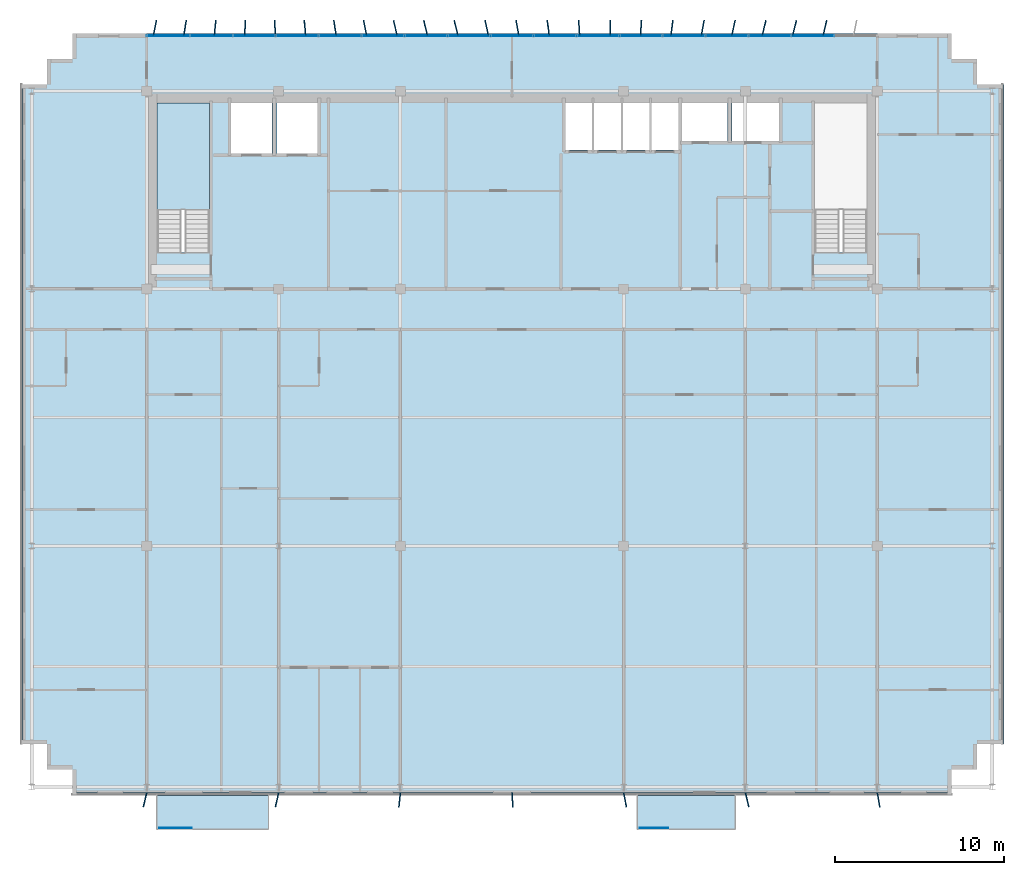
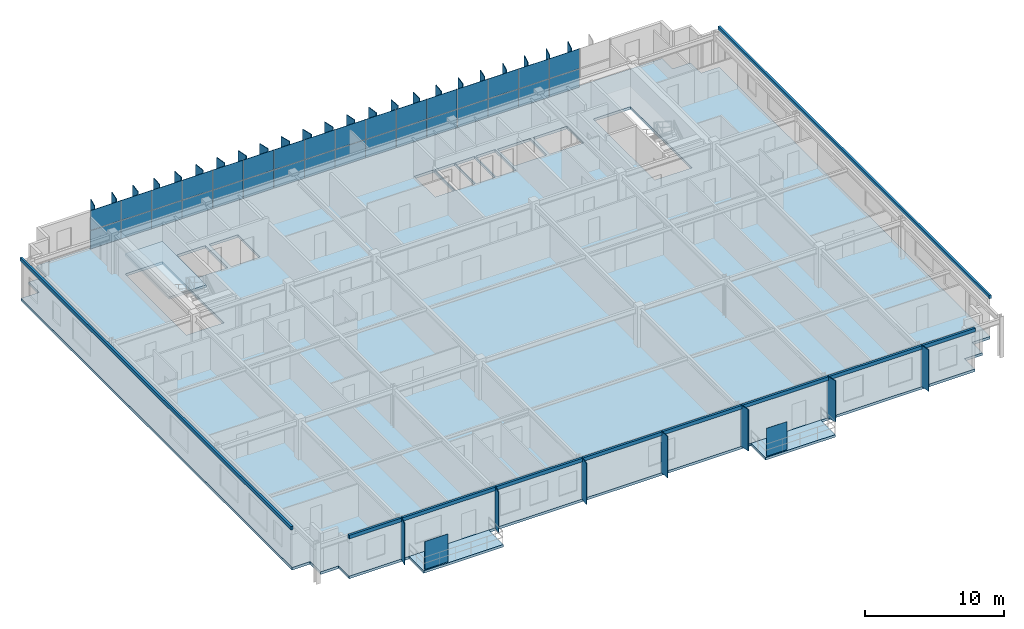
# One storey, part 15 of 22: 67 plates, 4 slabs, 2 elements without a shape of their own.
"""IFC4 building model written with IfcOpenShell, lengths in metres."""

from ifc_helpers import new_model, si_unit, direction, frame, origin, origin_2d, place, context, subcontext, project, spatial, polyline, rectangle, outline, extrude, source, transform, mapped, material, layer, layer_set, type_object, element, aggregate, save


model = new_model("IFC4")

# Units and contexts
model_context = context("Model", 3, precision=1e-05, world=origin(), true_north=direction((0.0, 1.0)))
body_context = subcontext(model_context, "Body", "Model", "MODEL_VIEW")
ifc_project = project(units=[si_unit("LENGTHUNIT", "METRE"), si_unit("AREAUNIT", "SQUARE_METRE"), si_unit("VOLUMEUNIT", "CUBIC_METRE"), si_unit("PLANEANGLEUNIT", "RADIAN"), si_unit("MASSUNIT", "GRAM", prefix="KILO")], contexts=[model_context])

# Site, building, storey
site_placement = place(None, origin())
site = spatial("IfcSite", under=ifc_project, at=site_placement, CompositionType="ELEMENT")
building_placement = place(site_placement, origin())
building = spatial("IfcBuilding", under=site, at=building_placement, Name="Trelvane Seafront Commons", CompositionType="ELEMENT")
storey_placement = place(building_placement, frame((0.0, 0.0, 277.5)))
storey = spatial("IfcBuildingStorey", under=building, at=storey_placement, Name="L72", CompositionType="ELEMENT", Elevation=277.5)

# Slabs
ifc_material_1 = material(Name="Concrete C40/50", Category="concrete")
ifc_layer_1 = layer(ifc_material_1, 0.219970703125, Name="ARCH-BALC-220")
ifc_layer_set_1 = layer_set([ifc_layer_1], Name="Concrete C40/50")
slab_type_1 = type_object("IfcSlabType", Name="ARCH-BALC-220", PredefinedType="FLOOR", material=ifc_layer_set_1)
slab_1_placement = place(storey_placement, frame((0.0, 0.0, -0.219970703125)))
element("IfcSlab", 1, at=slab_1_placement, inside=storey, type_object=slab_type_1, Name="L72 Cantilevered Tree Balcony Loggia 1", PredefinedType="FLOOR", context=body_context, shape_type="SweptSolid", body=[
    extrude(outline(polyline([(16.199951171875, 1.39990234375), (22.800048828125, 1.39990234375), (22.800048828125, 3.5), (16.199951171875, 3.5), (16.199951171875, 1.39990234375)])), origin(), (0.0, 0.0, 1.0), 0.219970703125),
])
slab_2_placement = place(storey_placement, frame((0.0, 0.0, -0.219970703125)))
element("IfcSlab", 2, at=slab_2_placement, inside=storey, type_object=slab_type_1, Name="L72 Cantilevered Tree Balcony Loggia 2", PredefinedType="FLOOR", context=body_context, shape_type="SweptSolid", body=[
    extrude(outline(polyline([(44.60009765625, 1.39990234375), (50.39990234375, 1.39990234375), (50.39990234375, 3.5), (44.60009765625, 3.5), (44.60009765625, 1.39990234375)])), origin(), (0.0, 0.0, 1.0), 0.219970703125),
])

# Stair, slab
stair_type = type_object("IfcStairType", Name="ARCH-STR-ST-1-R20-180", PredefinedType="HALF_TURN_STAIR", material=ifc_material_1)
stair_placement = place(storey_placement, origin())
stair = element("IfcStair", 3, at=stair_placement, inside=storey, type_object=stair_type, Name="L72 West Protected Firefighting Exit Stair ST-1", PredefinedType="HALF_TURN_STAIR")
ifc_layer_2 = layer(ifc_material_1, 0.199951171875, Name="ARCH-LND-200")
ifc_layer_set_2 = layer_set([ifc_layer_2], Name="Concrete C40/50")
slab_type_2 = type_object("IfcSlabType", Name="ARCH-LND-200", PredefinedType="LANDING", material=ifc_layer_set_2)
slab_3_placement = place(storey_placement, frame((0.0, 0.0, 1.60009765625)))
slab_3 = element("IfcSlab", 4, at=slab_3_placement, type_object=slab_type_2, Name="ST-1 landing 1", PredefinedType="LANDING", context=body_context, shape_type="SweptSolid", body=[
    extrude(outline(polyline([(19.300048828125, 38.070068359375), (19.300048828125, 44.39990234375), (16.199951171875, 44.39990234375), (16.199951171875, 38.070068359375), (19.300048828125, 38.070068359375)])), origin(), (0.0, 0.0, 1.0), 0.199951171875),
])
aggregate(stair, [slab_3])

# Slab
ifc_material_2 = material(Name="Concrete C50/60", Category="concrete")
ifc_layer_3 = layer(ifc_material_2, 0.22998046875, Name="STR-SLB-Z5-230")
ifc_layer_set_3 = layer_set([ifc_layer_3], Name="Concrete C50/60")
slab_type_3 = type_object("IfcSlabType", Name="STR-SLB-Z5-230", PredefinedType="FLOOR", material=ifc_layer_set_3)
slab_4_placement = place(storey_placement, frame((0.0, 0.0, -0.22998046875)))
element("IfcSlab", 5, at=slab_4_placement, inside=storey, type_object=slab_type_3, Name="L72 Structural Floor Slab", PredefinedType="FLOOR", context=body_context, shape_type="SweptSolid", body=[
    extrude(outline(polyline([(11.199951171875, 3.5), (63.199951171875, 3.5), (63.199951171875, 5.0), (64.699951171875, 5.0), (64.699951171875, 6.5), (66.199951171875, 6.5), (66.199951171875, 45.5), (64.699951171875, 45.5), (64.699951171875, 47.0), (63.199951171875, 47.0), (63.199951171875, 48.5), (11.199951171875, 48.5), (11.199951171875, 47.0), (9.699951171875, 47.0), (9.699951171875, 45.5), (8.199951171875, 45.5), (8.199951171875, 6.5), (9.699951171875, 6.5), (9.699951171875, 5.0), (11.199951171875, 5.0), (11.199951171875, 3.5)]), holes=[polyline([(19.300048828125, 35.550048828125), (16.199951171875, 35.550048828125), (16.199951171875, 44.39990234375), (19.300048828125, 44.39990234375), (19.300048828125, 35.550048828125)]), polyline([(58.199951171875, 35.550048828125), (55.10009765625, 35.550048828125), (55.10009765625, 44.39990234375), (58.199951171875, 44.39990234375), (58.199951171875, 35.550048828125)]), polyline([(23.0, 41.39990234375), (20.60009765625, 41.39990234375), (20.60009765625, 44.60009765625), (23.0, 44.60009765625), (23.0, 41.39990234375)]), polyline([(23.300048828125, 41.39990234375), (23.300048828125, 44.60009765625), (25.699951171875, 44.60009765625), (25.699951171875, 41.39990234375), (23.300048828125, 41.39990234375)]), polyline([(40.35009765625, 41.60009765625), (40.35009765625, 44.60009765625), (41.969970703125, 44.60009765625), (41.969970703125, 41.60009765625), (40.35009765625, 41.60009765625)]), polyline([(43.669921875, 41.60009765625), (42.050048828125, 41.60009765625), (42.050048828125, 44.60009765625), (43.669921875, 44.60009765625), (43.669921875, 41.60009765625)]), polyline([(45.3701171875, 41.60009765625), (43.75, 41.60009765625), (43.75, 44.60009765625), (45.3701171875, 44.60009765625), (45.3701171875, 41.60009765625)]), polyline([(47.070068359375, 41.60009765625), (45.449951171875, 41.60009765625), (45.449951171875, 44.60009765625), (47.070068359375, 44.60009765625), (47.070068359375, 41.60009765625)]), polyline([(47.25, 42.14990234375), (47.25, 44.550048828125), (49.949951171875, 44.550048828125), (49.949951171875, 42.14990234375), (47.25, 42.14990234375)]), polyline([(50.199951171875, 42.14990234375), (50.199951171875, 44.550048828125), (53.0, 44.550048828125), (53.0, 42.14990234375), (50.199951171875, 42.14990234375)])]), origin(), (0.0, 0.0, 1.0), 0.22998046875),
])

# Plates
ifc_material_3 = material(Name="Perforated anodised aluminium screen", Category="aluminium")
ifc_layer_4 = layer(ifc_material_3, 0.01611328125, Name="ARCH-PLATE-SCREEN")
ifc_layer_set_4 = layer_set([ifc_layer_4], Name="Perforated anodised aluminium screen")
plate_type_1 = type_object("IfcPlateType", Name="ARCH-PLATE-SCREEN", PredefinedType="USERDEFINED", material=ifc_layer_set_4)
shared_shape_1 = source(origin(), body_context, "Body", "SweptSolid", [
    extrude(rectangle(XDim=1.9140625, YDim=0.01611328125, at=origin_2d()), origin(), (0.0, 0.0, 1.0), 2.449951171875),
])
plate_1_placement = place(storey_placement, frame((17.306884765625, 1.52001953125, 0.0), z_axis=(0.0, 0.0, 1.0), x_axis=(1.0, 0.0, 0.0)))
element("IfcPlate", 6, at=plate_1_placement, inside=storey, type_object=plate_type_1, Name="SCR-L72-00250", ObjectType="SCREEN", PredefinedType="USERDEFINED", context=body_context, shape_type="MappedRepresentation", body=[
    mapped(shared_shape_1, transform((0.0, 0.0, 0.0), x_axis=(1.0, 0.0, 0.0), y_axis=(0.0, 1.0, 0.0), z_axis=(0.0, 0.0, 1.0), scale=1.0)),
])
shared_shape_2 = source(origin(), body_context, "Body", "SweptSolid", [
    extrude(rectangle(XDim=1.681884765625, YDim=0.01611328125, at=origin_2d()), origin(), (0.0, 0.0, 1.0), 2.449951171875),
])
plate_2_placement = place(storey_placement, frame((45.591064453125, 1.52001953125, 0.0), z_axis=(0.0, 0.0, 1.0), x_axis=(1.0, 0.0, 0.0)))
element("IfcPlate", 7, at=plate_2_placement, inside=storey, type_object=plate_type_1, Name="SCR-L72-00251", ObjectType="SCREEN", PredefinedType="USERDEFINED", context=body_context, shape_type="MappedRepresentation", body=[
    mapped(shared_shape_2, transform((0.0, 0.0, 0.0), x_axis=(1.0, 0.0, 0.0), y_axis=(0.0, 1.0, 0.0), z_axis=(0.0, 0.0, 1.0), scale=1.0)),
])
ifc_material_4 = material(Name="Anodised pale-silver aluminium", Category="aluminium")
ifc_layer_5 = layer(ifc_material_4, 0.06005859375, Name="ARCH-PLATE-FIN900")
ifc_layer_set_5 = layer_set([ifc_layer_5], Name="Anodised pale-silver aluminium")
plate_type_2 = type_object("IfcPlateType", Name="ARCH-PLATE-FIN900", PredefinedType="USERDEFINED", material=ifc_layer_set_5)
shared_shape_3 = source(origin(), body_context, "Body", "SweptSolid", [
    extrude(rectangle(XDim=0.89990234375, YDim=0.06005859375, at=origin_2d()), origin(), (0.0, 0.0, 1.0), 3.639892578125),
])
for number, where, z_axis, x_axis, name in (
    (8, (16.090087890625, 48.8408203125, -0.02001953125), (0.0, 0.0, 1.0), (0.199896385395, 0.979817041649, 0.0), "FIN-L72-02004"),
    (9, (17.8701171875, 48.844482421875, -0.02001953125), (0.0, 0.0, 1.0), (0.155779370969, 0.987791874628, 0.0), "FIN-L72-02005"),
    (10, (19.64501953125, 48.84765625, -0.02001953125), (0.0, 0.0, 1.0), (0.099778227877, 0.995009701079, 0.0), "FIN-L72-02006"),
    (11, (21.416259765625, 48.849609375, -0.02001953125), (0.0, 0.0, 1.0), (0.036111735631, 0.999347758565, 0.0), "FIN-L72-02007"),
    (12, (23.186279296875, 48.849853515625, -0.02001953125), (0.0, 0.0, 1.0), (-0.030444309253, 0.999536464585, 0.0), "FIN-L72-02008"),
    (13, (24.95751953125, 48.847900390625, -0.02001953125), (0.0, 0.0, 1.0), (-0.094551387755, 0.995519982257, 0.0), "FIN-L72-02009"),
    (14, (26.73193359375, 48.8447265625, -0.02001953125), (0.0, 0.0, 1.0), (-0.151338455909, 0.988482003763, 0.0), "FIN-L72-02010"),
    (15, (28.511474609375, 48.84130859375, -0.02001953125), (0.0, 0.0, 1.0), (-0.196671764594, 0.980469386065, 0.0), "FIN-L72-02011"),
    (16, (30.2978515625, 48.83837890625, -0.02001953125), (0.0, 0.0, 1.0), (-0.227212239699, 0.973845263957, 0.0), "FIN-L72-02012"),
    (17, (32.091552734375, 48.836669921875, -0.02001953125), (0.0, 0.0, 1.0), (-0.241124182271, 0.97049427032, 0.0), "FIN-L72-02013"),
    (18, (33.89306640625, 48.837158203125, -0.02001953125), (0.0, 0.0, 1.0), (-0.237565523369, 0.971371516005, 0.0), "FIN-L72-02014"),
    (19, (35.70263671875, 48.83935546875, -0.02001953125), (0.0, 0.0, 1.0), (-0.216565705023, 0.976268044856, 0.0), "FIN-L72-02015"),
    (20, (37.519287109375, 48.8427734375, -0.02001953125), (0.0, 0.0, 1.0), (-0.17955086393, 0.983748691111, 0.0), "FIN-L72-02016"),
    (21, (39.341796875, 48.84619140625, -0.02001953125), (0.0, 0.0, 1.0), (-0.1291071329, 0.991630651117, 0.0), "FIN-L72-02017"),
    (22, (41.169189453125, 48.84912109375, -0.02001953125), (0.0, 0.0, 1.0), (-0.068664776465, 0.997639788938, 0.0), "FIN-L72-02018"),
    (23, (42.998779296875, 48.85009765625, -0.02001953125), (0.0, 0.0, 1.0), (-0.002888515895, 0.999995828229, 0.0), "FIN-L72-02019"),
    (24, (44.828369140625, 48.84912109375, -0.02001953125), (0.0, 0.0, 1.0), (0.063111023171, 0.998006512381, 0.0), "FIN-L72-02020"),
    (25, (46.656005859375, 48.846435546875, -0.02001953125), (0.0, 0.0, 1.0), (0.124117579895, 0.992267517538, 0.0), "FIN-L72-02021"),
    (26, (48.47900390625, 48.843017578125, -0.02001953125), (0.0, 0.0, 1.0), (0.175667417292, 0.984449571335, 0.0), "FIN-L72-02022"),
    (27, (50.29638671875, 48.839599609375, -0.02001953125), (0.0, 0.0, 1.0), (0.213882938162, 0.976859298345, 0.0), "FIN-L72-02023"),
    (28, (52.106201171875, 48.837158203125, -0.02001953125), (0.0, 0.0, 1.0), (0.236334499359, 0.971671757546, 0.0), "FIN-L72-02024"),
    (29, (55.703125, 48.837890625, -0.02001953125), (0.0, 0.0, 1.0), (0.229101855445, 0.973402455222, 0.0), "FIN-L72-02026"),
):
    element("IfcPlate", number, at=place(storey_placement, frame(where, z_axis=z_axis, x_axis=x_axis)), inside=storey, type_object=plate_type_2, Name=name, ObjectType="FIN", PredefinedType="USERDEFINED", context=body_context, shape_type="MappedRepresentation", body=[
        mapped(shared_shape_3, transform((0.0, 0.0, 0.0), x_axis=(1.0, 0.0, 0.0), y_axis=(0.0, 1.0, 0.0), z_axis=(0.0, 0.0, 1.0), scale=1.0)),
    ])
shared_shape_4 = source(origin(), body_context, "Body", "SweptSolid", [
    extrude(rectangle(XDim=0.900146484375, YDim=0.06005859375, at=origin_2d()), origin(), (0.0, 0.0, 1.0), 3.639892578125),
])
plate_3_placement = place(storey_placement, frame((53.90869140625, 48.836669921875, -0.02001953125), z_axis=(0.0, 0.0, 1.0), x_axis=(0.241542536366, 0.970390232394, 0.0)))
element("IfcPlate", 30, at=plate_3_placement, inside=storey, type_object=plate_type_2, Name="FIN-L72-02025", ObjectType="FIN", PredefinedType="USERDEFINED", context=body_context, shape_type="MappedRepresentation", body=[
    mapped(shared_shape_4, transform((0.0, 0.0, 0.0), x_axis=(1.0, 0.0, 0.0), y_axis=(0.0, 1.0, 0.0), z_axis=(0.0, 0.0, 1.0), scale=1.0)),
])
shared_shape_5 = source(origin(), body_context, "Body", "SweptSolid", [
    extrude(rectangle(XDim=0.85009765625, YDim=0.06005859375, at=origin_2d()), origin(), (0.0, 0.0, 1.0), 3.639892578125),
])
for number, where, z_axis, x_axis, name in (
    (31, (15.500732421875, 3.186767578125, -0.02001953125), (0.0, 0.0, 1.0), (-0.233418210074, -0.972376439043, 0.0), "FIN-S-L72-02028"),
    (32, (23.306396484375, 3.185302734375, -0.02001953125), (0.0, 0.0, 1.0), (-0.220104996218, -0.975476186608, 0.0), "FIN-S-L72-02029"),
    (33, (30.555908203125, 3.17724609375, -0.02001953125), (0.0, 0.0, 1.0), (-0.103650123933, -0.994613820439, 0.0), "FIN-S-L72-02030"),
    (34, (37.226806640625, 3.17578125, -0.02001953125), (0.0, 0.0, 1.0), (0.063058767585, -0.998009815498, 0.0), "FIN-S-L72-02031"),
    (35, (43.884521484375, 3.18359375, -0.02001953125), (0.0, 0.0, 1.0), (0.199056651356, -0.979987984391, 0.0), "FIN-S-L72-02032"),
    (36, (51.102294921875, 3.1875, -0.02001953125), (0.0, 0.0, 1.0), (0.240929386731, -0.970542647496, 0.0), "FIN-S-L72-02033"),
    (37, (58.872802734375, 3.181396484375, -0.02001953125), (0.0, 0.0, 1.0), (0.171053888428, -0.985261674508, 0.0), "FIN-S-L72-02034"),
):
    element("IfcPlate", number, at=place(storey_placement, frame(where, z_axis=z_axis, x_axis=x_axis)), inside=storey, type_object=plate_type_2, Name=name, ObjectType="FIN", PredefinedType="USERDEFINED", context=body_context, shape_type="MappedRepresentation", body=[
        mapped(shared_shape_5, transform((0.0, 0.0, 0.0), x_axis=(1.0, 0.0, 0.0), y_axis=(0.0, 1.0, 0.0), z_axis=(0.0, 0.0, 1.0), scale=1.0)),
    ])

# Curtain wall, plates
curtain_wall_type = type_object("IfcCurtainWallType", Name="ARCH-CW5-UPTOWER", PredefinedType="NOTDEFINED", material=ifc_material_4)
curtain_wall_placement = place(storey_placement, origin())
curtain_wall = element("IfcCurtainWall", 38, at=curtain_wall_placement, inside=storey, type_object=curtain_wall_type, Name="CW-L72-0116", PredefinedType="NOTDEFINED")
ifc_material_5 = material(Name="Low-E coastal double glazing", Category="glass")
ifc_layer_6 = layer(ifc_material_5, 0.033935546875, Name="ARCH-CW-GLAZ-34")
ifc_layer_set_6 = layer_set([ifc_layer_6], Name="Low-E coastal double glazing")
plate_type_3 = type_object("IfcPlateType", Name="ARCH-CW-GLAZ-34", PredefinedType="CURTAIN_PANEL", material=ifc_layer_set_6)
shared_shape_6 = source(origin(), body_context, "Body", "SweptSolid", [
    extrude(rectangle(XDim=2.51708984375, YDim=0.033935546875, at=origin_2d()), origin(), (0.0, 0.0, 1.0), 1.60009765625),
])
plate_4_placement = place(storey_placement, frame((16.87060546875, 48.3701171875, 0.0), z_axis=(0.0, 0.0, 1.0), x_axis=(1.0, 0.0, 0.0)))
plate_4 = element("IfcPlate", 39, at=plate_4_placement, type_object=plate_type_3, Name="CW-L72-0116-P00-1", PredefinedType="CURTAIN_PANEL", context=body_context, shape_type="MappedRepresentation", body=[
    mapped(shared_shape_6, transform((0.0, 0.0, 0.0), x_axis=(1.0, 0.0, 0.0), y_axis=(0.0, 1.0, 0.0), z_axis=(0.0, 0.0, 1.0), scale=1.0)),
])
plate_5_placement = place(storey_placement, frame((19.411865234375, 48.3701171875, 0.0), z_axis=(0.0, 0.0, 1.0), x_axis=(1.0, 0.0, 0.0)))
plate_5 = element("IfcPlate", 40, at=plate_5_placement, type_object=plate_type_3, Name="CW-L72-0116-P01-1", PredefinedType="CURTAIN_PANEL", context=body_context, shape_type="MappedRepresentation", body=[
    mapped(shared_shape_6, transform((0.0, 0.0, 0.0), x_axis=(1.0, 0.0, 0.0), y_axis=(0.0, 1.0, 0.0), z_axis=(0.0, 0.0, 1.0), scale=1.0)),
])
plate_6_placement = place(storey_placement, frame((21.952880859375, 48.3701171875, 0.0), z_axis=(0.0, 0.0, 1.0), x_axis=(1.0, 0.0, 0.0)))
plate_6 = element("IfcPlate", 41, at=plate_6_placement, type_object=plate_type_3, Name="CW-L72-0116-P02-1", PredefinedType="CURTAIN_PANEL", context=body_context, shape_type="MappedRepresentation", body=[
    mapped(shared_shape_6, transform((0.0, 0.0, 0.0), x_axis=(1.0, 0.0, 0.0), y_axis=(0.0, 1.0, 0.0), z_axis=(0.0, 0.0, 1.0), scale=1.0)),
])
plate_7_placement = place(storey_placement, frame((24.494140625, 48.3701171875, 0.0), z_axis=(0.0, 0.0, 1.0), x_axis=(1.0, 0.0, 0.0)))
plate_7 = element("IfcPlate", 42, at=plate_7_placement, type_object=plate_type_3, Name="CW-L72-0116-P03-1", PredefinedType="CURTAIN_PANEL", context=body_context, shape_type="MappedRepresentation", body=[
    mapped(shared_shape_6, transform((0.0, 0.0, 0.0), x_axis=(1.0, 0.0, 0.0), y_axis=(0.0, 1.0, 0.0), z_axis=(0.0, 0.0, 1.0), scale=1.0)),
])
plate_8_placement = place(storey_placement, frame((27.035400390625, 48.3701171875, 0.0), z_axis=(0.0, 0.0, 1.0), x_axis=(1.0, 0.0, 0.0)))
plate_8 = element("IfcPlate", 43, at=plate_8_placement, type_object=plate_type_3, Name="CW-L72-0116-P04-1", PredefinedType="CURTAIN_PANEL", context=body_context, shape_type="MappedRepresentation", body=[
    mapped(shared_shape_6, transform((0.0, 0.0, 0.0), x_axis=(1.0, 0.0, 0.0), y_axis=(0.0, 1.0, 0.0), z_axis=(0.0, 0.0, 1.0), scale=1.0)),
])
plate_9_placement = place(storey_placement, frame((29.576416015625, 48.3701171875, 0.0), z_axis=(0.0, 0.0, 1.0), x_axis=(1.0, 0.0, 0.0)))
plate_9 = element("IfcPlate", 44, at=plate_9_placement, type_object=plate_type_3, Name="CW-L72-0116-P05-1", PredefinedType="CURTAIN_PANEL", context=body_context, shape_type="MappedRepresentation", body=[
    mapped(shared_shape_6, transform((0.0, 0.0, 0.0), x_axis=(1.0, 0.0, 0.0), y_axis=(0.0, 1.0, 0.0), z_axis=(0.0, 0.0, 1.0), scale=1.0)),
])
plate_10_placement = place(storey_placement, frame((32.11767578125, 48.3701171875, 0.0), z_axis=(0.0, 0.0, 1.0), x_axis=(1.0, 0.0, 0.0)))
plate_10 = element("IfcPlate", 45, at=plate_10_placement, type_object=plate_type_3, Name="CW-L72-0116-P06-1", PredefinedType="CURTAIN_PANEL", context=body_context, shape_type="MappedRepresentation", body=[
    mapped(shared_shape_6, transform((0.0, 0.0, 0.0), x_axis=(1.0, 0.0, 0.0), y_axis=(0.0, 1.0, 0.0), z_axis=(0.0, 0.0, 1.0), scale=1.0)),
])
plate_11_placement = place(storey_placement, frame((34.65869140625, 48.3701171875, 0.0), z_axis=(0.0, 0.0, 1.0), x_axis=(1.0, 0.0, 0.0)))
plate_11 = element("IfcPlate", 46, at=plate_11_placement, type_object=plate_type_3, Name="CW-L72-0116-P07-1", PredefinedType="CURTAIN_PANEL", context=body_context, shape_type="MappedRepresentation", body=[
    mapped(shared_shape_6, transform((0.0, 0.0, 0.0), x_axis=(1.0, 0.0, 0.0), y_axis=(0.0, 1.0, 0.0), z_axis=(0.0, 0.0, 1.0), scale=1.0)),
])
plate_12_placement = place(storey_placement, frame((37.199951171875, 48.3701171875, 0.0), z_axis=(0.0, 0.0, 1.0), x_axis=(1.0, 0.0, 0.0)))
plate_12 = element("IfcPlate", 47, at=plate_12_placement, type_object=plate_type_3, Name="CW-L72-0116-P08-1", PredefinedType="CURTAIN_PANEL", context=body_context, shape_type="MappedRepresentation", body=[
    mapped(shared_shape_6, transform((0.0, 0.0, 0.0), x_axis=(1.0, 0.0, 0.0), y_axis=(0.0, 1.0, 0.0), z_axis=(0.0, 0.0, 1.0), scale=1.0)),
])
plate_13_placement = place(storey_placement, frame((39.7412109375, 48.3701171875, 0.0), z_axis=(0.0, 0.0, 1.0), x_axis=(1.0, 0.0, 0.0)))
plate_13 = element("IfcPlate", 48, at=plate_13_placement, type_object=plate_type_3, Name="CW-L72-0116-P09-1", PredefinedType="CURTAIN_PANEL", context=body_context, shape_type="MappedRepresentation", body=[
    mapped(shared_shape_6, transform((0.0, 0.0, 0.0), x_axis=(1.0, 0.0, 0.0), y_axis=(0.0, 1.0, 0.0), z_axis=(0.0, 0.0, 1.0), scale=1.0)),
])
plate_14_placement = place(storey_placement, frame((42.282470703125, 48.3701171875, 0.0), z_axis=(0.0, 0.0, 1.0), x_axis=(1.0, 0.0, 0.0)))
plate_14 = element("IfcPlate", 49, at=plate_14_placement, type_object=plate_type_3, Name="CW-L72-0116-P10-1", PredefinedType="CURTAIN_PANEL", context=body_context, shape_type="MappedRepresentation", body=[
    mapped(shared_shape_6, transform((0.0, 0.0, 0.0), x_axis=(1.0, 0.0, 0.0), y_axis=(0.0, 1.0, 0.0), z_axis=(0.0, 0.0, 1.0), scale=1.0)),
])
plate_15_placement = place(storey_placement, frame((44.823486328125, 48.3701171875, 0.0), z_axis=(0.0, 0.0, 1.0), x_axis=(1.0, 0.0, 0.0)))
plate_15 = element("IfcPlate", 50, at=plate_15_placement, type_object=plate_type_3, Name="CW-L72-0116-P11-1", PredefinedType="CURTAIN_PANEL", context=body_context, shape_type="MappedRepresentation", body=[
    mapped(shared_shape_6, transform((0.0, 0.0, 0.0), x_axis=(1.0, 0.0, 0.0), y_axis=(0.0, 1.0, 0.0), z_axis=(0.0, 0.0, 1.0), scale=1.0)),
])
plate_16_placement = place(storey_placement, frame((47.36474609375, 48.3701171875, 0.0), z_axis=(0.0, 0.0, 1.0), x_axis=(1.0, 0.0, 0.0)))
plate_16 = element("IfcPlate", 51, at=plate_16_placement, type_object=plate_type_3, Name="CW-L72-0116-P12-1", PredefinedType="CURTAIN_PANEL", context=body_context, shape_type="MappedRepresentation", body=[
    mapped(shared_shape_6, transform((0.0, 0.0, 0.0), x_axis=(1.0, 0.0, 0.0), y_axis=(0.0, 1.0, 0.0), z_axis=(0.0, 0.0, 1.0), scale=1.0)),
])
plate_17_placement = place(storey_placement, frame((49.906005859375, 48.3701171875, 0.0), z_axis=(0.0, 0.0, 1.0), x_axis=(1.0, 0.0, 0.0)))
plate_17 = element("IfcPlate", 52, at=plate_17_placement, type_object=plate_type_3, Name="CW-L72-0116-P13-1", PredefinedType="CURTAIN_PANEL", context=body_context, shape_type="MappedRepresentation", body=[
    mapped(shared_shape_6, transform((0.0, 0.0, 0.0), x_axis=(1.0, 0.0, 0.0), y_axis=(0.0, 1.0, 0.0), z_axis=(0.0, 0.0, 1.0), scale=1.0)),
])
plate_18_placement = place(storey_placement, frame((52.447021484375, 48.3701171875, 0.0), z_axis=(0.0, 0.0, 1.0), x_axis=(1.0, 0.0, 0.0)))
plate_18 = element("IfcPlate", 53, at=plate_18_placement, type_object=plate_type_3, Name="CW-L72-0116-P14-1", PredefinedType="CURTAIN_PANEL", context=body_context, shape_type="MappedRepresentation", body=[
    mapped(shared_shape_6, transform((0.0, 0.0, 0.0), x_axis=(1.0, 0.0, 0.0), y_axis=(0.0, 1.0, 0.0), z_axis=(0.0, 0.0, 1.0), scale=1.0)),
])
plate_19_placement = place(storey_placement, frame((54.98828125, 48.3701171875, 0.0), z_axis=(0.0, 0.0, 1.0), x_axis=(1.0, 0.0, 0.0)))
plate_19 = element("IfcPlate", 54, at=plate_19_placement, type_object=plate_type_3, Name="CW-L72-0116-P15-1", PredefinedType="CURTAIN_PANEL", context=body_context, shape_type="MappedRepresentation", body=[
    mapped(shared_shape_6, transform((0.0, 0.0, 0.0), x_axis=(1.0, 0.0, 0.0), y_axis=(0.0, 1.0, 0.0), z_axis=(0.0, 0.0, 1.0), scale=1.0)),
])
shared_shape_7 = source(origin(), body_context, "Body", "SweptSolid", [
    extrude(rectangle(XDim=2.51708984375, YDim=0.033935546875, at=origin_2d()), origin(), (0.0, 0.0, 1.0), 1.73388671875),
])
plate_20_placement = place(storey_placement, frame((16.87060546875, 48.3701171875, 1.635986328125), z_axis=(0.0, 0.0, 1.0), x_axis=(1.0, 0.0, 0.0)))
plate_20 = element("IfcPlate", 55, at=plate_20_placement, type_object=plate_type_3, Name="CW-L72-0116-P00-2", PredefinedType="CURTAIN_PANEL", context=body_context, shape_type="MappedRepresentation", body=[
    mapped(shared_shape_7, transform((0.0, 0.0, 0.0), x_axis=(1.0, 0.0, 0.0), y_axis=(0.0, 1.0, 0.0), z_axis=(0.0, 0.0, 1.0), scale=1.0)),
])
plate_21_placement = place(storey_placement, frame((19.411865234375, 48.3701171875, 1.635986328125), z_axis=(0.0, 0.0, 1.0), x_axis=(1.0, 0.0, 0.0)))
plate_21 = element("IfcPlate", 56, at=plate_21_placement, type_object=plate_type_3, Name="CW-L72-0116-P01-2", PredefinedType="CURTAIN_PANEL", context=body_context, shape_type="MappedRepresentation", body=[
    mapped(shared_shape_7, transform((0.0, 0.0, 0.0), x_axis=(1.0, 0.0, 0.0), y_axis=(0.0, 1.0, 0.0), z_axis=(0.0, 0.0, 1.0), scale=1.0)),
])
plate_22_placement = place(storey_placement, frame((21.952880859375, 48.3701171875, 1.635986328125), z_axis=(0.0, 0.0, 1.0), x_axis=(1.0, 0.0, 0.0)))
plate_22 = element("IfcPlate", 57, at=plate_22_placement, type_object=plate_type_3, Name="CW-L72-0116-P02-2", PredefinedType="CURTAIN_PANEL", context=body_context, shape_type="MappedRepresentation", body=[
    mapped(shared_shape_7, transform((0.0, 0.0, 0.0), x_axis=(1.0, 0.0, 0.0), y_axis=(0.0, 1.0, 0.0), z_axis=(0.0, 0.0, 1.0), scale=1.0)),
])
plate_23_placement = place(storey_placement, frame((24.494140625, 48.3701171875, 1.635986328125), z_axis=(0.0, 0.0, 1.0), x_axis=(1.0, 0.0, 0.0)))
plate_23 = element("IfcPlate", 58, at=plate_23_placement, type_object=plate_type_3, Name="CW-L72-0116-P03-2", PredefinedType="CURTAIN_PANEL", context=body_context, shape_type="MappedRepresentation", body=[
    mapped(shared_shape_7, transform((0.0, 0.0, 0.0), x_axis=(1.0, 0.0, 0.0), y_axis=(0.0, 1.0, 0.0), z_axis=(0.0, 0.0, 1.0), scale=1.0)),
])
plate_24_placement = place(storey_placement, frame((27.035400390625, 48.3701171875, 1.635986328125), z_axis=(0.0, 0.0, 1.0), x_axis=(1.0, 0.0, 0.0)))
plate_24 = element("IfcPlate", 59, at=plate_24_placement, type_object=plate_type_3, Name="CW-L72-0116-P04-2", PredefinedType="CURTAIN_PANEL", context=body_context, shape_type="MappedRepresentation", body=[
    mapped(shared_shape_7, transform((0.0, 0.0, 0.0), x_axis=(1.0, 0.0, 0.0), y_axis=(0.0, 1.0, 0.0), z_axis=(0.0, 0.0, 1.0), scale=1.0)),
])
plate_25_placement = place(storey_placement, frame((29.576416015625, 48.3701171875, 1.635986328125), z_axis=(0.0, 0.0, 1.0), x_axis=(1.0, 0.0, 0.0)))
plate_25 = element("IfcPlate", 60, at=plate_25_placement, type_object=plate_type_3, Name="CW-L72-0116-P05-2", PredefinedType="CURTAIN_PANEL", context=body_context, shape_type="MappedRepresentation", body=[
    mapped(shared_shape_7, transform((0.0, 0.0, 0.0), x_axis=(1.0, 0.0, 0.0), y_axis=(0.0, 1.0, 0.0), z_axis=(0.0, 0.0, 1.0), scale=1.0)),
])
plate_26_placement = place(storey_placement, frame((32.11767578125, 48.3701171875, 1.635986328125), z_axis=(0.0, 0.0, 1.0), x_axis=(1.0, 0.0, 0.0)))
plate_26 = element("IfcPlate", 61, at=plate_26_placement, type_object=plate_type_3, Name="CW-L72-0116-P06-2", PredefinedType="CURTAIN_PANEL", context=body_context, shape_type="MappedRepresentation", body=[
    mapped(shared_shape_7, transform((0.0, 0.0, 0.0), x_axis=(1.0, 0.0, 0.0), y_axis=(0.0, 1.0, 0.0), z_axis=(0.0, 0.0, 1.0), scale=1.0)),
])
plate_27_placement = place(storey_placement, frame((34.65869140625, 48.3701171875, 1.635986328125), z_axis=(0.0, 0.0, 1.0), x_axis=(1.0, 0.0, 0.0)))
plate_27 = element("IfcPlate", 62, at=plate_27_placement, type_object=plate_type_3, Name="CW-L72-0116-P07-2", PredefinedType="CURTAIN_PANEL", context=body_context, shape_type="MappedRepresentation", body=[
    mapped(shared_shape_7, transform((0.0, 0.0, 0.0), x_axis=(1.0, 0.0, 0.0), y_axis=(0.0, 1.0, 0.0), z_axis=(0.0, 0.0, 1.0), scale=1.0)),
])
plate_28_placement = place(storey_placement, frame((37.199951171875, 48.3701171875, 1.635986328125), z_axis=(0.0, 0.0, 1.0), x_axis=(1.0, 0.0, 0.0)))
plate_28 = element("IfcPlate", 63, at=plate_28_placement, type_object=plate_type_3, Name="CW-L72-0116-P08-2", PredefinedType="CURTAIN_PANEL", context=body_context, shape_type="MappedRepresentation", body=[
    mapped(shared_shape_7, transform((0.0, 0.0, 0.0), x_axis=(1.0, 0.0, 0.0), y_axis=(0.0, 1.0, 0.0), z_axis=(0.0, 0.0, 1.0), scale=1.0)),
])
plate_29_placement = place(storey_placement, frame((39.7412109375, 48.3701171875, 1.635986328125), z_axis=(0.0, 0.0, 1.0), x_axis=(1.0, 0.0, 0.0)))
plate_29 = element("IfcPlate", 64, at=plate_29_placement, type_object=plate_type_3, Name="CW-L72-0116-P09-2", PredefinedType="CURTAIN_PANEL", context=body_context, shape_type="MappedRepresentation", body=[
    mapped(shared_shape_7, transform((0.0, 0.0, 0.0), x_axis=(1.0, 0.0, 0.0), y_axis=(0.0, 1.0, 0.0), z_axis=(0.0, 0.0, 1.0), scale=1.0)),
])
plate_30_placement = place(storey_placement, frame((42.282470703125, 48.3701171875, 1.635986328125), z_axis=(0.0, 0.0, 1.0), x_axis=(1.0, 0.0, 0.0)))
plate_30 = element("IfcPlate", 65, at=plate_30_placement, type_object=plate_type_3, Name="CW-L72-0116-P10-2", PredefinedType="CURTAIN_PANEL", context=body_context, shape_type="MappedRepresentation", body=[
    mapped(shared_shape_7, transform((0.0, 0.0, 0.0), x_axis=(1.0, 0.0, 0.0), y_axis=(0.0, 1.0, 0.0), z_axis=(0.0, 0.0, 1.0), scale=1.0)),
])
plate_31_placement = place(storey_placement, frame((44.823486328125, 48.3701171875, 1.635986328125), z_axis=(0.0, 0.0, 1.0), x_axis=(1.0, 0.0, 0.0)))
plate_31 = element("IfcPlate", 66, at=plate_31_placement, type_object=plate_type_3, Name="CW-L72-0116-P11-2", PredefinedType="CURTAIN_PANEL", context=body_context, shape_type="MappedRepresentation", body=[
    mapped(shared_shape_7, transform((0.0, 0.0, 0.0), x_axis=(1.0, 0.0, 0.0), y_axis=(0.0, 1.0, 0.0), z_axis=(0.0, 0.0, 1.0), scale=1.0)),
])
plate_32_placement = place(storey_placement, frame((47.36474609375, 48.3701171875, 1.635986328125), z_axis=(0.0, 0.0, 1.0), x_axis=(1.0, 0.0, 0.0)))
plate_32 = element("IfcPlate", 67, at=plate_32_placement, type_object=plate_type_3, Name="CW-L72-0116-P12-2", PredefinedType="CURTAIN_PANEL", context=body_context, shape_type="MappedRepresentation", body=[
    mapped(shared_shape_7, transform((0.0, 0.0, 0.0), x_axis=(1.0, 0.0, 0.0), y_axis=(0.0, 1.0, 0.0), z_axis=(0.0, 0.0, 1.0), scale=1.0)),
])
plate_33_placement = place(storey_placement, frame((49.906005859375, 48.3701171875, 1.635986328125), z_axis=(0.0, 0.0, 1.0), x_axis=(1.0, 0.0, 0.0)))
plate_33 = element("IfcPlate", 68, at=plate_33_placement, type_object=plate_type_3, Name="CW-L72-0116-P13-2", PredefinedType="CURTAIN_PANEL", context=body_context, shape_type="MappedRepresentation", body=[
    mapped(shared_shape_7, transform((0.0, 0.0, 0.0), x_axis=(1.0, 0.0, 0.0), y_axis=(0.0, 1.0, 0.0), z_axis=(0.0, 0.0, 1.0), scale=1.0)),
])
plate_34_placement = place(storey_placement, frame((52.447021484375, 48.3701171875, 1.635986328125), z_axis=(0.0, 0.0, 1.0), x_axis=(1.0, 0.0, 0.0)))
plate_34 = element("IfcPlate", 69, at=plate_34_placement, type_object=plate_type_3, Name="CW-L72-0116-P14-2", PredefinedType="CURTAIN_PANEL", context=body_context, shape_type="MappedRepresentation", body=[
    mapped(shared_shape_7, transform((0.0, 0.0, 0.0), x_axis=(1.0, 0.0, 0.0), y_axis=(0.0, 1.0, 0.0), z_axis=(0.0, 0.0, 1.0), scale=1.0)),
])
plate_35_placement = place(storey_placement, frame((54.98828125, 48.3701171875, 1.635986328125), z_axis=(0.0, 0.0, 1.0), x_axis=(1.0, 0.0, 0.0)))
plate_35 = element("IfcPlate", 70, at=plate_35_placement, type_object=plate_type_3, Name="CW-L72-0116-P15-2", PredefinedType="CURTAIN_PANEL", context=body_context, shape_type="MappedRepresentation", body=[
    mapped(shared_shape_7, transform((0.0, 0.0, 0.0), x_axis=(1.0, 0.0, 0.0), y_axis=(0.0, 1.0, 0.0), z_axis=(0.0, 0.0, 1.0), scale=1.0)),
])
aggregate(curtain_wall, [plate_4, plate_20, plate_5, plate_21, plate_6, plate_22, plate_7, plate_23, plate_8, plate_24, plate_9, plate_25, plate_10, plate_26, plate_11, plate_27, plate_12, plate_28, plate_13, plate_29, plate_14, plate_30, plate_15, plate_31, plate_16, plate_32, plate_17, plate_33, plate_18, plate_34, plate_19, plate_35])

# Plates
ifc_layer_7 = layer(ifc_material_4, 0.179931640625, Name="ARCH-PLATE-AERO")
ifc_layer_set_7 = layer_set([ifc_layer_7], Name="Anodised pale-silver aluminium")
plate_type_4 = type_object("IfcPlateType", Name="ARCH-PLATE-AERO", PredefinedType="SHEET", material=ifc_layer_set_7)
shared_shape_8 = source(origin(), body_context, "Body", "SweptSolid", [
    extrude(rectangle(XDim=39.0, YDim=0.179931640625, at=origin_2d()), origin(), (0.0, 0.0, 1.0), 0.31005859375),
])
for number, where, z_axis, x_axis, name in (
    (71, (8.199951171875, 26.0, 3.31005859375), (0.0, 0.0, 1.0), (0.0, 1.0, 0.0), "AER-L72-00248"),
    (72, (66.199951171875, 26.0, 3.31005859375), (0.0, 0.0, 1.0), (0.0, -1.0, 0.0), "AER-L72-00249"),
):
    element("IfcPlate", number, at=place(storey_placement, frame(where, z_axis=z_axis, x_axis=x_axis)), inside=storey, type_object=plate_type_4, Name=name, PredefinedType="SHEET", context=body_context, shape_type="MappedRepresentation", body=[
        mapped(shared_shape_8, transform((0.0, 0.0, 0.0), x_axis=(1.0, 0.0, 0.0), y_axis=(0.0, 1.0, 0.0), z_axis=(0.0, 0.0, 1.0), scale=1.0)),
    ])
shared_shape_9 = source(origin(), body_context, "Body", "SweptSolid", [
    extrude(rectangle(XDim=52.0, YDim=0.179931640625, at=origin_2d()), origin(), (0.0, 0.0, 1.0), 0.31005859375),
])
plate_36_placement = place(storey_placement, frame((37.199951171875, 3.5400390625, 3.31005859375), z_axis=(0.0, 0.0, 1.0), x_axis=(-1.0, 0.0, 0.0)))
element("IfcPlate", 73, at=plate_36_placement, inside=storey, type_object=plate_type_4, Name="AER-S-L72-00252", PredefinedType="SHEET", context=body_context, shape_type="MappedRepresentation", body=[
    mapped(shared_shape_9, transform((0.0, 0.0, 0.0), x_axis=(1.0, 0.0, 0.0), y_axis=(0.0, 1.0, 0.0), z_axis=(0.0, 0.0, 1.0), scale=1.0)),
])

save(model, "model.ifc")
